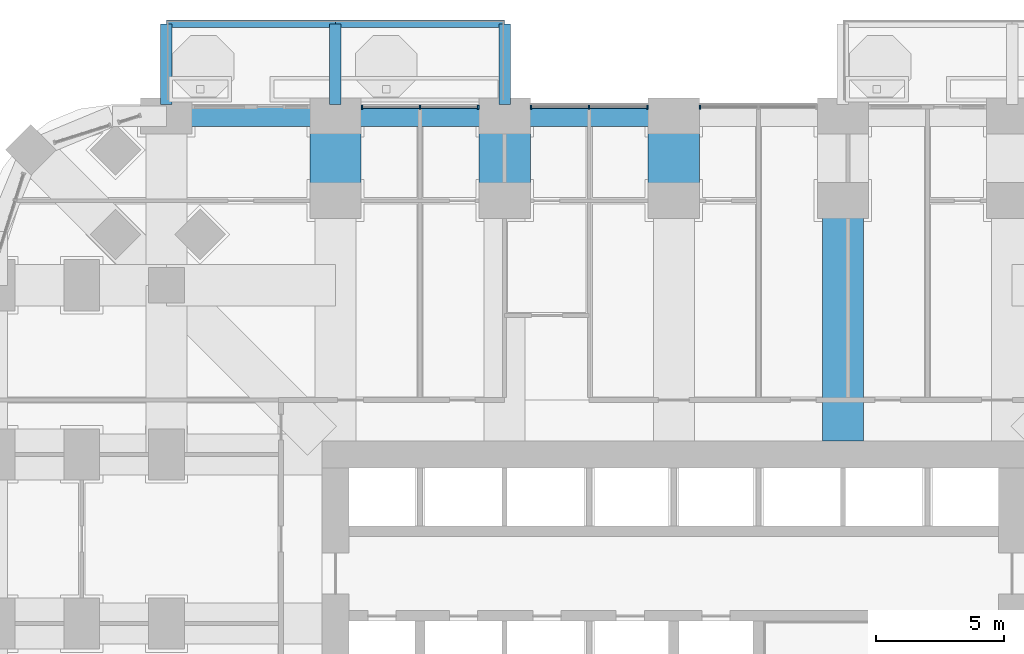
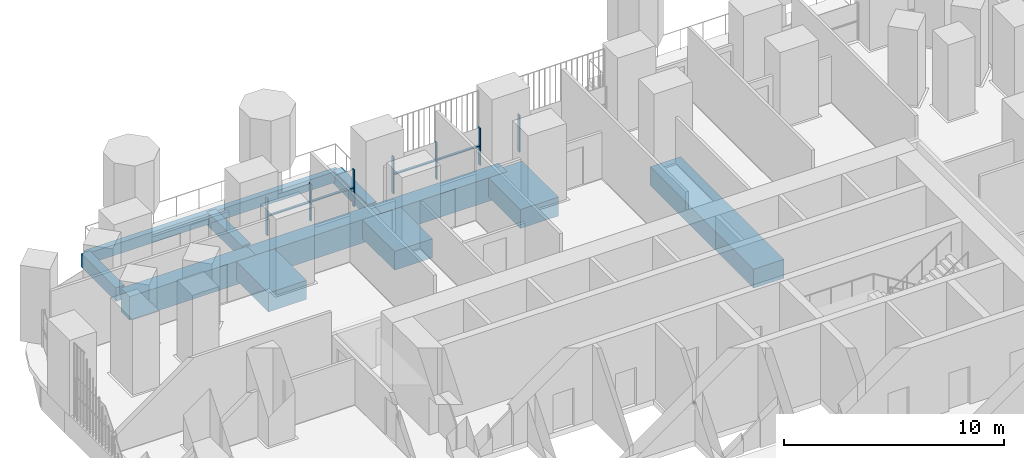
# One storey, part 8 of 27: 12 beams, 11 members, 3 elements without a shape of their own.
"""IFC4 building model written with IfcOpenShell, lengths in metres."""

from ifc_helpers import new_model, si_unit, direction, frame, origin, origin_2d, place, context, subcontext, project, spatial, rectangle, extrude, material, material_profile, profile_set, type_object, element, aggregate, save


model = new_model("IFC4")

# Units and contexts
model_context = context("Model", 3, precision=1e-05, world=origin(), true_north=direction((0.0, 1.0)))
body_context = subcontext(model_context, "Body", "Model", "MODEL_VIEW")
ifc_project = project(units=[si_unit("LENGTHUNIT", "METRE"), si_unit("AREAUNIT", "SQUARE_METRE"), si_unit("VOLUMEUNIT", "CUBIC_METRE"), si_unit("PLANEANGLEUNIT", "RADIAN"), si_unit("MASSUNIT", "GRAM", prefix="KILO")], contexts=[model_context])

# Site, building, storey
site_placement = place(None, origin())
site = spatial("IfcSite", under=ifc_project, at=site_placement, CompositionType="ELEMENT")
building_placement = place(site_placement, origin())
building = spatial("IfcBuilding", under=site, at=building_placement, Name="Cobogo Forest Laboratory Tower", CompositionType="ELEMENT")
storey_placement = place(building_placement, frame((0.0, 0.0, 71.699951171875)))
storey = spatial("IfcBuildingStorey", under=building, at=storey_placement, Name="L16", CompositionType="ELEMENT", Elevation=71.699951171875)

# Beams
ifc_material_1 = material(Name="Concrete HA-40 (C40/50)", Category="concrete")
ifc_material_profile_1 = material_profile(ifc_material_1, rectangle(XDim=0.449951171875, YDim=0.75, at=origin_2d()), Name="RC 450x750")
ifc_profile_set_1 = profile_set([ifc_material_profile_1], Name="Concrete HA-40 (C40/50)")
beam_type_1 = type_object("IfcBeamType", Name="Balcony cantilever beam 450x750", PredefinedType="BEAM", material=ifc_profile_set_1)
for number, where, z_axis, x_axis, name in (
    (1, (6.60009765625, 46.64990234375, -0.625), (0.0, 1.0, 0.0), (-1.0, 0.0, 0.0), "CB1 BAL-N1-C1 L16"),
    (2, (13.199951171875, 46.64990234375, -0.625), (0.0, 1.0, 0.0), (-1.0, 0.0, 0.0), "CB1 BAL-N1-C2 L16"),
    (3, (19.800048828125, 46.64990234375, -0.625), (0.0, 1.0, 0.0), (-1.0, 0.0, 0.0), "CB1 BAL-N1-C3 L16"),
):
    element("IfcBeam", number, at=place(storey_placement, frame(where, z_axis=z_axis, x_axis=x_axis)), inside=storey, type_object=beam_type_1, Name=name, PredefinedType="BEAM", context=body_context, shape_type="SweptSolid", body=[
        extrude(rectangle(XDim=0.449951171875, YDim=0.75, at=origin_2d()), origin(), (0.0, 0.0, 1.0), 3.150146484375),
    ])
ifc_material_profile_2 = material_profile(ifc_material_1, rectangle(XDim=0.300048828125, YDim=0.60009765625, at=origin_2d()), Name="RC 300x600")
ifc_profile_set_2 = profile_set([ifc_material_profile_2], Name="Concrete HA-40 (C40/50)")
beam_type_2 = type_object("IfcBeamType", Name="Balcony edge beam 300x600", PredefinedType="BEAM", material=ifc_profile_set_2)
beam_1_placement = place(storey_placement, frame((6.60009765625, 49.800048828125, -0.550048828125), z_axis=(1.0, 0.0, 0.0), x_axis=(0.0, 1.0, 0.0)))
element("IfcBeam", 4, at=beam_1_placement, inside=storey, type_object=beam_type_2, Name="BB1 BAL-N1-T1 L16", PredefinedType="BEAM", context=body_context, shape_type="SweptSolid", body=[
    extrude(rectangle(XDim=0.300048828125, YDim=0.60009765625, at=origin_2d()), origin(), (0.0, 0.0, 1.0), 6.599853515625),
])
beam_2_placement = place(storey_placement, frame((13.199951171875, 49.800048828125, -0.550048828125), z_axis=(1.0, 0.0, 0.0), x_axis=(0.0, 1.0, 0.0)))
element("IfcBeam", 5, at=beam_2_placement, inside=storey, type_object=beam_type_2, Name="BB1 BAL-N1-T2 L16", PredefinedType="BEAM", context=body_context, shape_type="SweptSolid", body=[
    extrude(rectangle(XDim=0.300048828125, YDim=0.60009765625, at=origin_2d()), origin(), (0.0, 0.0, 1.0), 6.60009765625),
])
ifc_material_2 = material(Name="Concrete HA-50 (C50/60)", Category="concrete")
ifc_material_profile_3 = material_profile(ifc_material_2, rectangle(XDim=2.0, YDim=1.050048828125, at=origin_2d()), Name="RC 2000x1050")
ifc_profile_set_3 = profile_set([ifc_material_profile_3], Name="Concrete HA-50 (C50/60)")
beam_type_3 = type_object("IfcBeamType", Name="End-bay wide beam 2000x1050", PredefinedType="BEAM", material=ifc_profile_set_3)
for number, where, z_axis, x_axis, name in (
    (6, (13.199951171875, 46.199951171875, -0.824951171875), (0.0, -1.0, 0.0), (1.0, 0.0, 0.0), "RB7 R-3-N-X L16"),
    (7, (19.800048828125, 46.199951171875, -0.824951171875), (0.0, -1.0, 0.0), (1.0, 0.0, 0.0), "RB7 R-4-N-X L16"),
    (8, (26.39990234375, 46.199951171875, -0.824951171875), (0.0, -1.0, 0.0), (1.0, 0.0, 0.0), "RB7 R-5-N-X L16"),
):
    element("IfcBeam", number, at=place(storey_placement, frame(where, z_axis=z_axis, x_axis=x_axis)), inside=storey, type_object=beam_type_3, Name=name, PredefinedType="BEAM", context=body_context, shape_type="SweptSolid", body=[
        extrude(rectangle(XDim=2.0, YDim=1.050048828125, at=origin_2d()), origin(), (0.0, 0.0, 1.0), 3.300048828125),
    ])
ifc_material_profile_4 = material_profile(ifc_material_2, rectangle(XDim=1.60009765625, YDim=1.050048828125, at=origin_2d()), Name="RC 1600x1050")
ifc_profile_set_4 = profile_set([ifc_material_profile_4], Name="Concrete HA-50 (C50/60)")
beam_type_4 = type_object("IfcBeamType", Name="Laboratory floor wide beam 1600x1050", PredefinedType="BEAM", material=ifc_profile_set_4)
beam_3_placement = place(storey_placement, frame((33.0, 33.52490234375, -0.824951171875), z_axis=(0.0, 1.0, 0.0), x_axis=(-1.0, 0.0, 0.0)))
element("IfcBeam", 9, at=beam_3_placement, inside=storey, type_object=beam_type_4, Name="RB8 R-6-N L16", PredefinedType="BEAM", context=body_context, shape_type="SweptSolid", body=[
    extrude(rectangle(XDim=1.60009765625, YDim=1.050048828125, at=origin_2d()), origin(), (0.0, 0.0, 1.0), 9.375),
])

# Curtain wall, member
ifc_material_3 = material(Name="Aluminium curtain wall", Category="aluminium")
curtain_wall_type = type_object("IfcCurtainWallType", Name="CW-1 unitised curtain wall, clear glazing, laboratory floors zones A and B", PredefinedType="USERDEFINED", material=ifc_material_3)
curtain_wall_1_placement = place(storey_placement, origin())
curtain_wall_1 = element("IfcCurtainWall", 10, at=curtain_wall_1_placement, inside=storey, type_object=curtain_wall_type, Name="Curtain wall 20 L16", ObjectType="UNITISED CURTAIN WALL", PredefinedType="USERDEFINED")
ifc_material_4 = material(Name="Aluminium mullion", Category="aluminium")
ifc_material_profile_5 = material_profile(ifc_material_4, rectangle(XDim=0.06005859375, YDim=0.159912109375, at=origin_2d()), Name="AL 60x160")
ifc_profile_set_5 = profile_set([ifc_material_profile_5], Name="Aluminium mullion")
member_type_1 = type_object("IfcMemberType", Name="MU-1 aluminium mullion 60x160", PredefinedType="MULLION", material=ifc_profile_set_5)
member_1_placement = place(storey_placement, frame((27.429931640625, 46.550048828125, 0.0), z_axis=(0.0, 0.0, 1.0), x_axis=(-1.0, 0.0, 0.0)))
member_1 = element("IfcMember", 11, at=member_1_placement, type_object=member_type_1, Name="CW-1 mullion 3", PredefinedType="MULLION", context=body_context, shape_type="SweptSolid", body=[
    extrude(rectangle(XDim=0.06005859375, YDim=0.159912109375, at=origin_2d()), origin(), (0.0, 0.0, 1.0), 2.050048828125),
])
aggregate(curtain_wall_1, [member_1])

# Curtain wall, members
curtain_wall_2_placement = place(storey_placement, origin())
curtain_wall_2 = element("IfcCurtainWall", 12, at=curtain_wall_2_placement, inside=storey, type_object=curtain_wall_type, Name="Curtain wall 21 L16", ObjectType="UNITISED CURTAIN WALL", PredefinedType="USERDEFINED")
member_2_placement = place(storey_placement, frame((25.3701171875, 46.550048828125, 0.0), z_axis=(0.0, 0.0, 1.0), x_axis=(-1.0, 0.0, 0.0)))
member_2 = element("IfcMember", 13, at=member_2_placement, type_object=member_type_1, Name="CW-1 mullion 1", PredefinedType="MULLION", context=body_context, shape_type="SweptSolid", body=[
    extrude(rectangle(XDim=0.06005859375, YDim=0.159912109375, at=origin_2d()), origin(), (0.0, 0.0, 1.0), 2.050048828125),
])
member_3_placement = place(storey_placement, frame((23.10009765625, 46.550048828125, 0.0), z_axis=(0.0, 0.0, 1.0), x_axis=(-1.0, 0.0, 0.0)))
member_3 = element("IfcMember", 14, at=member_3_placement, type_object=member_type_1, Name="CW-1 mullion 2", PredefinedType="MULLION", context=body_context, shape_type="SweptSolid", body=[
    extrude(rectangle(XDim=0.06005859375, YDim=0.159912109375, at=origin_2d()), origin(), (0.0, 0.0, 1.0), 2.050048828125),
])
member_4_placement = place(storey_placement, frame((20.830078125, 46.550048828125, 0.0), z_axis=(0.0, 0.0, 1.0), x_axis=(-1.0, 0.0, 0.0)))
member_4 = element("IfcMember", 15, at=member_4_placement, type_object=member_type_1, Name="CW-1 mullion 3", PredefinedType="MULLION", context=body_context, shape_type="SweptSolid", body=[
    extrude(rectangle(XDim=0.06005859375, YDim=0.159912109375, at=origin_2d()), origin(), (0.0, 0.0, 1.0), 2.050048828125),
])

curtain_wall_3_placement = place(storey_placement, origin())
curtain_wall_3 = element("IfcCurtainWall", 16, at=curtain_wall_3_placement, inside=storey, type_object=curtain_wall_type, Name="Curtain wall 22 L16", ObjectType="UNITISED CURTAIN WALL", PredefinedType="USERDEFINED")
member_5_placement = place(storey_placement, frame((18.77001953125, 46.550048828125, 0.0), z_axis=(0.0, 0.0, 1.0), x_axis=(-1.0, 0.0, 0.0)))
member_5 = element("IfcMember", 17, at=member_5_placement, type_object=member_type_1, Name="CW-1 mullion 1", PredefinedType="MULLION", context=body_context, shape_type="SweptSolid", body=[
    extrude(rectangle(XDim=0.06005859375, YDim=0.159912109375, at=origin_2d()), origin(), (0.0, 0.0, 1.0), 2.050048828125),
])
member_6_placement = place(storey_placement, frame((16.5, 46.550048828125, 0.0), z_axis=(0.0, 0.0, 1.0), x_axis=(-1.0, 0.0, 0.0)))
member_6 = element("IfcMember", 18, at=member_6_placement, type_object=member_type_1, Name="CW-1 mullion 2", PredefinedType="MULLION", context=body_context, shape_type="SweptSolid", body=[
    extrude(rectangle(XDim=0.06005859375, YDim=0.159912109375, at=origin_2d()), origin(), (0.0, 0.0, 1.0), 2.050048828125),
])
member_7_placement = place(storey_placement, frame((14.22998046875, 46.550048828125, 0.0), z_axis=(0.0, 0.0, 1.0), x_axis=(-1.0, 0.0, 0.0)))
member_7 = element("IfcMember", 19, at=member_7_placement, type_object=member_type_1, Name="CW-1 mullion 3", PredefinedType="MULLION", context=body_context, shape_type="SweptSolid", body=[
    extrude(rectangle(XDim=0.06005859375, YDim=0.159912109375, at=origin_2d()), origin(), (0.0, 0.0, 1.0), 2.050048828125),
])

# Beams
ifc_material_profile_6 = material_profile(ifc_material_1, rectangle(XDim=0.800048828125, YDim=1.300048828125, at=origin_2d()), Name="RC 800x1300")
ifc_profile_set_6 = profile_set([ifc_material_profile_6], Name="Concrete HA-40 (C40/50)")
beam_type_5 = type_object("IfcBeamType", Name="Perimeter edge beam 800x1300", PredefinedType="BEAM", material=ifc_profile_set_6)
beam_4_placement = place(storey_placement, frame((6.60009765625, 46.199951171875, -0.949951171875), z_axis=(1.0, 0.0, 0.0), x_axis=(0.0, 1.0, 0.0)))
element("IfcBeam", 20, at=beam_4_placement, inside=storey, type_object=beam_type_5, Name="EB2 E-N1 L16", PredefinedType="BEAM", context=body_context, shape_type="SweptSolid", body=[
    extrude(rectangle(XDim=0.800048828125, YDim=1.300048828125, at=origin_2d()), origin(), (0.0, 0.0, 1.0), 6.599853515625),
])
beam_5_placement = place(storey_placement, frame((13.199951171875, 46.199951171875, -0.949951171875), z_axis=(1.0, 0.0, 0.0), x_axis=(0.0, 1.0, 0.0)))
element("IfcBeam", 21, at=beam_5_placement, inside=storey, type_object=beam_type_5, Name="EB2 E-N2 L16", PredefinedType="BEAM", context=body_context, shape_type="SweptSolid", body=[
    extrude(rectangle(XDim=0.800048828125, YDim=1.300048828125, at=origin_2d()), origin(), (0.0, 0.0, 1.0), 6.60009765625),
])
beam_6_placement = place(storey_placement, frame((19.800048828125, 46.199951171875, -0.949951171875), z_axis=(1.0, 0.0, 0.0), x_axis=(0.0, 1.0, 0.0)))
element("IfcBeam", 22, at=beam_6_placement, inside=storey, type_object=beam_type_5, Name="EB2 E-N3 L16", PredefinedType="BEAM", context=body_context, shape_type="SweptSolid", body=[
    extrude(rectangle(XDim=0.800048828125, YDim=1.300048828125, at=origin_2d()), origin(), (0.0, 0.0, 1.0), 6.599853515625),
])

# Member
ifc_material_5 = material(Name="Aluminium transom", Category="aluminium")
ifc_material_profile_7 = material_profile(ifc_material_5, rectangle(XDim=0.1201171875, YDim=0.06005859375, at=origin_2d()), Name="AL 60x120")
ifc_profile_set_7 = profile_set([ifc_material_profile_7], Name="Aluminium transom")
member_type_2 = type_object("IfcMemberType", Name="TR-1 aluminium transom 60x120", PredefinedType="USERDEFINED", material=ifc_profile_set_7)
member_8_placement = place(storey_placement, frame((25.340087890625, 46.550048828125, 1.050048828125), z_axis=(-1.0, 0.0, 0.0), x_axis=(0.0, -1.0, 0.0)))
member_8 = element("IfcMember", 23, at=member_8_placement, type_object=member_type_2, Name="CW-1 transom 1.1", ObjectType="TRANSOM", PredefinedType="USERDEFINED", context=body_context, shape_type="SweptSolid", body=[
    extrude(rectangle(XDim=0.1201171875, YDim=0.06005859375, at=origin_2d()), origin(), (0.0, 0.0, 1.0), 2.210205078125),
])

member_9_placement = place(storey_placement, frame((23.070068359375, 46.550048828125, 1.050048828125), z_axis=(-1.0, 0.0, 0.0), x_axis=(0.0, -1.0, 0.0)))
member_9 = element("IfcMember", 24, at=member_9_placement, type_object=member_type_2, Name="CW-1 transom 2.1", ObjectType="TRANSOM", PredefinedType="USERDEFINED", context=body_context, shape_type="SweptSolid", body=[
    extrude(rectangle(XDim=0.1201171875, YDim=0.06005859375, at=origin_2d()), origin(), (0.0, 0.0, 1.0), 2.2099609375),
])

aggregate(curtain_wall_2, [member_2, member_3, member_4, member_8, member_9])

member_10_placement = place(storey_placement, frame((18.739990234375, 46.550048828125, 1.050048828125), z_axis=(-1.0, 0.0, 0.0), x_axis=(0.0, -1.0, 0.0)))
member_10 = element("IfcMember", 25, at=member_10_placement, type_object=member_type_2, Name="CW-1 transom 1.1", ObjectType="TRANSOM", PredefinedType="USERDEFINED", context=body_context, shape_type="SweptSolid", body=[
    extrude(rectangle(XDim=0.1201171875, YDim=0.06005859375, at=origin_2d()), origin(), (0.0, 0.0, 1.0), 2.2099609375),
])

member_11_placement = place(storey_placement, frame((16.469970703125, 46.550048828125, 1.050048828125), z_axis=(-1.0, 0.0, 0.0), x_axis=(0.0, -1.0, 0.0)))
member_11 = element("IfcMember", 26, at=member_11_placement, type_object=member_type_2, Name="CW-1 transom 2.1", ObjectType="TRANSOM", PredefinedType="USERDEFINED", context=body_context, shape_type="SweptSolid", body=[
    extrude(rectangle(XDim=0.1201171875, YDim=0.06005859375, at=origin_2d()), origin(), (0.0, 0.0, 1.0), 2.2099609375),
])

aggregate(curtain_wall_3, [member_5, member_6, member_7, member_10, member_11])

save(model, "model.ifc")
